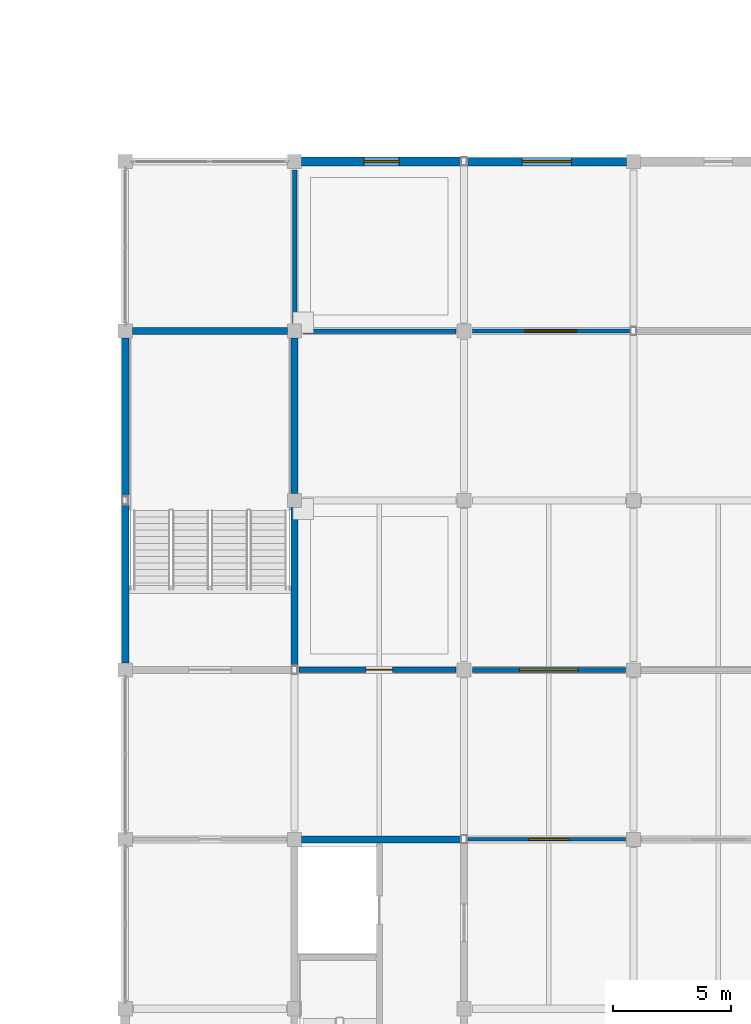
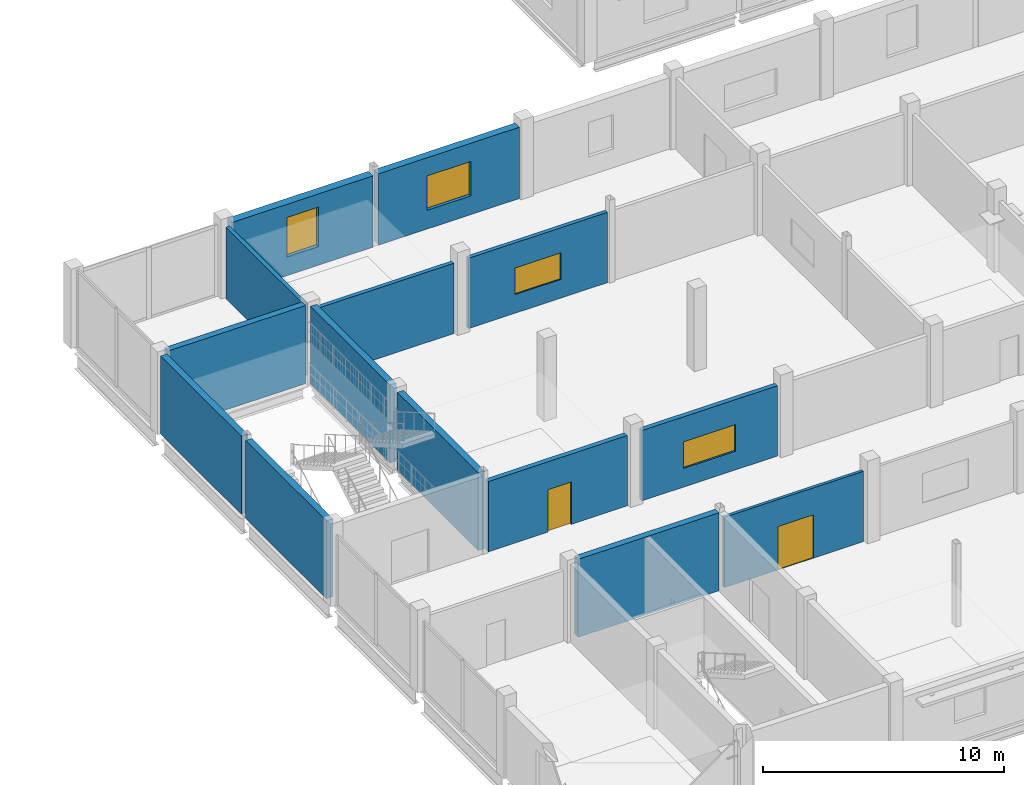
# One storey, part 36 of 51: 14 walls, 4 windows, 2 doors, 6 openings.
"""IFC4 building model written with IfcOpenShell, lengths in metres."""

from ifc_helpers import new_model, si_unit, direction, frame, frame_2d, origin, place, context, subcontext, project, spatial, rectangle, extrude, material, layer, layer_set, type_object, element, fill, save


model = new_model("IFC4")

# Units and contexts
model_context = context("Model", 3, precision=1e-05, world=origin(), true_north=direction((0.0, 1.0)))
body_context = subcontext(model_context, "Body", "Model", "MODEL_VIEW")
ifc_project = project(units=[si_unit("LENGTHUNIT", "METRE"), si_unit("AREAUNIT", "SQUARE_METRE"), si_unit("VOLUMEUNIT", "CUBIC_METRE"), si_unit("PLANEANGLEUNIT", "RADIAN"), si_unit("MASSUNIT", "GRAM", prefix="KILO")], contexts=[model_context])

# Site, building, storey
site_placement = place(None, origin())
site = spatial("IfcSite", under=ifc_project, at=site_placement, CompositionType="ELEMENT")
building_placement = place(site_placement, origin())
building = spatial("IfcBuilding", under=site, at=building_placement, Name="Vesperath Aquatics Centre", CompositionType="ELEMENT")
storey_placement = place(building_placement, frame((0.0, 0.0, 15.0)))
storey = spatial("IfcBuildingStorey", under=building, at=storey_placement, Name="L03", CompositionType="ELEMENT", Elevation=15.0)

# Wall, opening, window
ifc_material_1 = material(Name="Red-terracotta brick insulated cavity wall", Category="masonry")
ifc_layer_1 = layer(ifc_material_1, 0.3798828125)
ifc_layer_set_1 = layer_set([ifc_layer_1], Name="Red-terracotta brick insulated cavity wall")
wall_type_1 = type_object("IfcWallType", Name="WL-EW02", PredefinedType="SOLIDWALL", material=ifc_layer_set_1)
wall_1_placement = place(storey_placement, frame((122.699951171875, 43.199951171875, 0.0), z_axis=(0.0, 0.0, 1.0), x_axis=(1.0, 0.0, 0.0)))
wall_1 = element("IfcWall", 1, at=wall_1_placement, inside=storey, type_object=wall_type_1, Name="Exterior Wall EW02 L03_N_17_06", PredefinedType="SOLIDWALL", context=body_context, shape_type="SweptSolid", body=[
    extrude(rectangle(XDim=6.775146484375, YDim=0.3798828125, at=frame_2d((3.3876953125, 0.0))), origin(), (0.0, 0.0, 1.0), 3.6201171875),
])
opening_1_placement = place(wall_1_placement, frame((2.636962890625, 0.0, 0.949951171875)))
opening_1 = element("IfcOpeningElement", 2, at=opening_1_placement, cuts=wall_1, Name="Opening W08", PredefinedType="OPENING", context=body_context, shape_type="SweptSolid", body=[
    extrude(rectangle(XDim=1.5, YDim=2.0, at=frame_2d((0.75, 1.0))), frame((0.0, 0.204833984375, 0.0), z_axis=(0.0, -1.0, 0.0), x_axis=(1.0, 0.0, 0.0)), (0.0, 0.0, 1.0), 0.40966796875),
])
ifc_material_2 = material(Name="Thermally broken aluminium triple-glazed window", Category="aluminium")
window_type_1 = type_object("IfcWindowType", Name="WN-W08", PartitioningType="SINGLE_PANEL", PredefinedType="WINDOW", material=ifc_material_2)
window_1_placement = place(opening_1_placement, origin())
window_1 = element("IfcWindow", 3, at=window_1_placement, inside=storey, type_object=window_type_1, Name="Deep-Reveal Casement Window W08 L03_N_17_06", OverallHeight=2.0, OverallWidth=1.5, PartitioningType="SINGLE_PANEL", PredefinedType="WINDOW", context=body_context, shape_type="SweptSolid", body=[
    extrude(rectangle(XDim=1.5, YDim=2.0, at=frame_2d((0.75, 1.0))), frame((0.0, 0.030029296875, 0.0), z_axis=(0.0, -1.0, 0.0), x_axis=(1.0, 0.0, 0.0)), (0.0, 0.0, 1.0), 0.06005859375),
])
fill(opening_1, window_1)

ifc_material_3 = material(Name="Glazed majolica and brick insulated cavity wall", Category="masonry")
ifc_layer_2 = layer(ifc_material_3, 0.360107421875)
ifc_layer_set_2 = layer_set([ifc_layer_2], Name="Glazed majolica and brick insulated cavity wall")
wall_type_2 = type_object("IfcWallType", Name="WL-EW03", PredefinedType="SOLIDWALL", material=ifc_layer_set_2)
wall_2_placement = place(storey_placement, frame((129.72509765625, 43.199951171875, 0.0), z_axis=(0.0, 0.0, 1.0), x_axis=(1.0, 0.0, 0.0)))
wall_2 = element("IfcWall", 4, at=wall_2_placement, inside=storey, type_object=wall_type_2, Name="Exterior Wall EW03 L03_N_18_06", PredefinedType="SOLIDWALL", context=body_context, shape_type="SweptSolid", body=[
    extrude(rectangle(XDim=6.77490234375, YDim=0.360107421875, at=frame_2d((3.387451171875, 0.0))), origin(), (0.0, 0.0, 1.0), 3.6201171875),
])
opening_2_placement = place(wall_2_placement, frame((2.337890625, 0.0, 0.949951171875)))
opening_2 = element("IfcOpeningElement", 5, at=opening_2_placement, cuts=wall_2, Name="Opening W11", PredefinedType="OPENING", context=body_context, shape_type="SweptSolid", body=[
    extrude(rectangle(XDim=2.10009765625, YDim=1.75, at=frame_2d((1.050048828125, 0.875))), frame((0.0, 0.19482421875, 0.0), z_axis=(0.0, -1.0, 0.0), x_axis=(1.0, 0.0, 0.0)), (0.0, 0.0, 1.0), 0.389892578125),
])
window_type_2 = type_object("IfcWindowType", Name="WN-W11", PartitioningType="SINGLE_PANEL", PredefinedType="WINDOW", material=ifc_material_2)
window_2_placement = place(opening_2_placement, origin())
window_2 = element("IfcWindow", 6, at=window_2_placement, inside=storey, type_object=window_type_2, Name="Deep-Reveal Casement Window W11 L03_N_18_06", OverallHeight=1.75, OverallWidth=2.10009765625, PartitioningType="SINGLE_PANEL", PredefinedType="WINDOW", context=body_context, shape_type="SweptSolid", body=[
    extrude(rectangle(XDim=2.10009765625, YDim=1.75, at=frame_2d((1.050048828125, 0.875))), frame((0.0, 0.030029296875, 0.0), z_axis=(0.0, -1.0, 0.0), x_axis=(1.0, 0.0, 0.0)), (0.0, 0.0, 1.0), 0.06005859375),
])
fill(opening_2, window_2)

# Wall, opening, door
ifc_material_4 = material(Name="Autoclaved aerated masonry blockwork", Category="masonry")
ifc_layer_3 = layer(ifc_material_4, 0.22998046875)
ifc_layer_set_3 = layer_set([ifc_layer_3], Name="Autoclaved aerated masonry blockwork")
wall_type_3 = type_object("IfcWallType", Name="WL-FW01", PredefinedType="SOLIDWALL", material=ifc_layer_set_3)
wall_3_placement = place(storey_placement, frame((122.574951171875, 21.60009765625, 0.0), z_axis=(0.0, 0.0, 1.0), x_axis=(1.0, 0.0, 0.0)))
wall_3 = element("IfcWall", 7, at=wall_3_placement, inside=storey, type_object=wall_type_3, Name="Interior Partition FW01 L03_BIOMECH-S1", PredefinedType="SOLIDWALL", context=body_context, shape_type="SweptSolid", body=[
    extrude(rectangle(XDim=6.675048828125, YDim=0.22998046875, at=frame_2d((3.33740234375, 0.0))), origin(), (0.0, 0.0, 1.0), 3.570068359375),
])
opening_3_placement = place(wall_3_placement, frame((2.864990234375, 0.0, 0.0)))
opening_3 = element("IfcOpeningElement", 8, at=opening_3_placement, cuts=wall_3, Name="Opening D11", PredefinedType="OPENING", context=body_context, shape_type="SweptSolid", body=[
    extrude(rectangle(XDim=1.1201171875, YDim=2.14990234375, at=frame_2d((0.56005859375, 1.074951171875))), frame((0.0, 0.1298828125, 0.0), z_axis=(0.0, -1.0, 0.0), x_axis=(1.0, 0.0, 0.0)), (0.0, 0.0, 1.0), 0.259765625),
])
ifc_material_5 = material(Name="Family changing accessible fire door", Category="steel")
door_type_1 = type_object("IfcDoorType", Name="DR-RM03", OperationType="NOTDEFINED", PredefinedType="DOOR", material=ifc_material_5)
door_1_placement = place(opening_3_placement, origin())
door_1 = element("IfcDoor", 9, at=door_1_placement, inside=storey, type_object=door_type_1, Name="Sports Medicine and Biomechanics Laboratory Door D11", OperationType="SINGLE_SWING_RIGHT", OverallHeight=2.14990234375, OverallWidth=1.1201171875, PredefinedType="DOOR", context=body_context, shape_type="SweptSolid", body=[
    extrude(rectangle(XDim=1.1201171875, YDim=2.14990234375, at=frame_2d((0.56005859375, 1.074951171875))), frame((0.0, 0.02490234375, 0.0), z_axis=(0.0, -1.0, 0.0), x_axis=(1.0, 0.0, 0.0)), (0.0, 0.0, 1.0), 0.050048828125),
])
fill(opening_3, door_1)

# Wall, opening, window
ifc_material_6 = material(Name="Masonry fire compartment wall", Category="masonry")
ifc_layer_4 = layer(ifc_material_6, 0.219970703125)
ifc_layer_set_4 = layer_set([ifc_layer_4], Name="Masonry fire compartment wall")
wall_type_4 = type_object("IfcWallType", Name="WL-FW02", PredefinedType="SOLIDWALL", material=ifc_layer_set_4)
wall_4_placement = place(storey_placement, frame((129.949951171875, 21.60009765625, 0.0), z_axis=(0.0, 0.0, 1.0), x_axis=(1.0, 0.0, 0.0)))
wall_4 = element("IfcWall", 10, at=wall_4_placement, inside=storey, type_object=wall_type_4, Name="Interior Partition FW02 L03_BIOMECH-S2", PredefinedType="SOLIDWALL", context=body_context, shape_type="SweptSolid", body=[
    extrude(rectangle(XDim=6.5, YDim=0.219970703125, at=frame_2d((3.25, 0.0))), origin(), (0.0, 0.0, 1.0), 3.570068359375),
])
opening_4_placement = place(wall_4_placement, frame((2.0, 0.0, 0.949951171875)))
opening_4 = element("IfcOpeningElement", 11, at=opening_4_placement, cuts=wall_4, Name="Opening VW06", PredefinedType="OPENING", context=body_context, shape_type="SweptSolid", body=[
    extrude(rectangle(XDim=2.5, YDim=1.35009765625, at=frame_2d((1.25, 0.675048828125))), frame((0.0, 0.125, 0.0), z_axis=(0.0, -1.0, 0.0), x_axis=(1.0, 0.0, 0.0)), (0.0, 0.0, 1.0), 0.249755859375),
])
ifc_material_7 = material(Name="Acoustic laminated interior viewing glazing", Category="glass")
window_type_3 = type_object("IfcWindowType", Name="WN-IW06", PartitioningType="SINGLE_PANEL", PredefinedType="WINDOW", material=ifc_material_7)
window_3_placement = place(opening_4_placement, origin())
window_3 = element("IfcWindow", 12, at=window_3_placement, inside=storey, type_object=window_type_3, Name="Interior Viewing Window VW06 L03_BIOMECH", OverallHeight=1.35009765625, OverallWidth=2.5, PartitioningType="SINGLE_PANEL", PredefinedType="WINDOW", context=body_context, shape_type="SweptSolid", body=[
    extrude(rectangle(XDim=2.5, YDim=1.35009765625, at=frame_2d((1.25, 0.675048828125))), frame((0.0, 0.030029296875, 0.0), z_axis=(0.0, -1.0, 0.0), x_axis=(1.0, 0.0, 0.0)), (0.0, 0.0, 1.0), 0.06005859375),
])
fill(opening_4, window_3)

# Walls
ifc_material_8 = material(Name="Plant acoustic masonry wall", Category="masonry")
ifc_layer_5 = layer(ifc_material_8, 0.18994140625)
ifc_layer_set_5 = layer_set([ifc_layer_5], Name="Plant acoustic masonry wall")
wall_type_5 = type_object("IfcWallType", Name="WL-FW04", PredefinedType="SOLIDWALL", material=ifc_layer_set_5)
wall_5_placement = place(storey_placement, frame((122.75, 36.0, 0.0), z_axis=(0.0, 0.0, 1.0), x_axis=(1.0, 0.0, 0.0)))
element("IfcWall", 13, at=wall_5_placement, inside=storey, type_object=wall_type_5, Name="Interior Partition FW04 L03_BIOMECH-N1", PredefinedType="SOLIDWALL", context=body_context, shape_type="SweptSolid", body=[
    extrude(rectangle(XDim=6.5, YDim=0.18994140625, at=frame_2d((3.25, 0.0))), origin(), (0.0, 0.0, 1.0), 3.570068359375),
])
wall_6_placement = place(storey_placement, frame((122.39990234375, 36.35009765625, 0.0), z_axis=(0.0, 0.0, 1.0), x_axis=(0.0, 1.0, 0.0)))
element("IfcWall", 14, at=wall_6_placement, inside=storey, type_object=wall_type_5, Name="Interior Partition FW04 L03_PHYS_LAB-W1", PredefinedType="SOLIDWALL", context=body_context, shape_type="SweptSolid", body=[
    extrude(rectangle(XDim=6.5, YDim=0.18994140625, at=frame_2d((3.25, 0.0))), origin(), (0.0, 0.0, 1.0), 3.6201171875),
])

# Wall, opening, window
ifc_material_9 = material(Name="Double-stud acoustic studio partition", Category="gypsum")
ifc_layer_6 = layer(ifc_material_9, 0.18505859375)
ifc_layer_set_6 = layer_set([ifc_layer_6], Name="Double-stud acoustic studio partition")
wall_type_6 = type_object("IfcWallType", Name="WL-IW01", PredefinedType="PARTITIONING", material=ifc_layer_set_6)
wall_7_placement = place(storey_placement, frame((129.949951171875, 36.0, 0.0), z_axis=(0.0, 0.0, 1.0), x_axis=(1.0, 0.0, 0.0)))
wall_7 = element("IfcWall", 15, at=wall_7_placement, inside=storey, type_object=wall_type_6, Name="Interior Partition IW01 L03_BIOMECH-N2", PredefinedType="PARTITIONING", context=body_context, shape_type="SweptSolid", body=[
    extrude(rectangle(XDim=6.675048828125, YDim=0.18505859375, at=frame_2d((3.33740234375, 0.0))), origin(), (0.0, 0.0, 1.0), 3.570068359375),
])
opening_5_placement = place(wall_7_placement, frame((2.238037109375, 0.0, 0.949951171875)))
opening_5 = element("IfcOpeningElement", 16, at=opening_5_placement, cuts=wall_7, Name="Opening VW07", PredefinedType="OPENING", context=body_context, shape_type="SweptSolid", body=[
    extrude(rectangle(XDim=2.199951171875, YDim=1.35009765625, at=frame_2d((1.10009765625, 0.675048828125))), frame((0.0, 0.107421875, 0.0), z_axis=(0.0, -1.0, 0.0), x_axis=(1.0, 0.0, 0.0)), (0.0, 0.0, 1.0), 0.21484375),
])
window_type_4 = type_object("IfcWindowType", Name="WN-IW07", PartitioningType="SINGLE_PANEL", PredefinedType="WINDOW", material=ifc_material_7)
window_4_placement = place(opening_5_placement, origin())
window_4 = element("IfcWindow", 17, at=window_4_placement, inside=storey, type_object=window_type_4, Name="Interior Viewing Window VW07 L03_BIOMECH", OverallHeight=1.35009765625, OverallWidth=2.199951171875, PartitioningType="SINGLE_PANEL", PredefinedType="WINDOW", context=body_context, shape_type="SweptSolid", body=[
    extrude(rectangle(XDim=2.199951171875, YDim=1.35009765625, at=frame_2d((1.10009765625, 0.675048828125))), frame((0.0, 0.030029296875, 0.0), z_axis=(0.0, -1.0, 0.0), x_axis=(1.0, 0.0, 0.0)), (0.0, 0.0, 1.0), 0.06005859375),
])
fill(opening_5, window_4)

# Wall, opening, door
ifc_material_10 = material(Name="Changing cubicle masonry-backed partition", Category="masonry")
ifc_layer_7 = layer(ifc_material_10, 0.137939453125)
ifc_layer_set_7 = layer_set([ifc_layer_7], Name="Changing cubicle masonry-backed partition")
wall_type_7 = type_object("IfcWallType", Name="WL-IW07", PredefinedType="PARTITIONING", material=ifc_layer_set_7)
wall_8_placement = place(storey_placement, frame((129.77490234375, 14.39990234375, 0.0), z_axis=(0.0, 0.0, 1.0), x_axis=(1.0, 0.0, 0.0)))
wall_8 = element("IfcWall", 18, at=wall_8_placement, inside=storey, type_object=wall_type_7, Name="Interior Partition IW07 L03_YOGA-N1", PredefinedType="PARTITIONING", context=body_context, shape_type="SweptSolid", body=[
    extrude(rectangle(XDim=6.675048828125, YDim=0.137939453125, at=frame_2d((3.33740234375, 0.0))), origin(), (0.0, 0.0, 1.0), 3.570068359375),
])
opening_6_placement = place(wall_8_placement, frame((2.574951171875, 0.0, 0.0)))
opening_6 = element("IfcOpeningElement", 19, at=opening_6_placement, cuts=wall_8, Name="Opening D09", PredefinedType="OPENING", context=body_context, shape_type="SweptSolid", body=[
    extrude(rectangle(XDim=1.699951171875, YDim=2.199951171875, at=frame_2d((0.85009765625, 1.10009765625))), frame((0.0, 0.083984375, 0.0), z_axis=(0.0, -1.0, 0.0), x_axis=(1.0, 0.0, 0.0)), (0.0, 0.0, 1.0), 0.167724609375),
])
ifc_material_11 = material(Name="Wet-village marine-grade aluminium double door", Category="aluminium")
door_type_2 = type_object("IfcDoorType", Name="DR-RM01", OperationType="DOUBLE_SWING_LEFT", PredefinedType="DOOR", material=ifc_material_11)
door_2_placement = place(opening_6_placement, frame((1.699951171875, 0.0, 0.0), z_axis=(0.0, 0.0, 1.0), x_axis=(-1.0, 0.0, 0.0)))
door_2 = element("IfcDoor", 20, at=door_2_placement, inside=storey, type_object=door_type_2, Name="Daylit Yoga and Pilates Pavilion Door D09", OperationType="DOUBLE_SWING_LEFT", OverallHeight=2.199951171875, OverallWidth=1.699951171875, PredefinedType="DOOR", context=body_context, shape_type="SweptSolid", body=[
    extrude(rectangle(XDim=1.699951171875, YDim=2.199951171875, at=frame_2d((0.85009765625, 1.10009765625))), frame((0.0, 0.02490234375, 0.0), z_axis=(0.0, -1.0, 0.0), x_axis=(1.0, 0.0, 0.0)), (0.0, 0.0, 1.0), 0.050048828125),
])
fill(opening_6, door_2)

# Walls
ifc_material_12 = material(Name="Concrete C40", Category="concrete")
ifc_layer_8 = layer(ifc_material_12, 0.300048828125)
ifc_layer_set_8 = layer_set([ifc_layer_8], Name="Concrete C40")
wall_type_8 = type_object("IfcWallType", Name="WL-SW01", PredefinedType="SHEAR", material=ifc_layer_set_8)
wall_9_placement = place(storey_placement, frame((122.699951171875, 14.39990234375, 0.0), z_axis=(0.0, 0.0, 1.0), x_axis=(1.0, 0.0, 0.0)))
element("IfcWall", 21, at=wall_9_placement, inside=storey, type_object=wall_type_8, Name="Core C5 North Shear Wall SW01 L03", PredefinedType="SHEAR", context=body_context, shape_type="SweptSolid", body=[
    extrude(rectangle(XDim=6.775146484375, YDim=0.300048828125, at=frame_2d((3.3876953125, 0.0))), origin(), (0.0, 0.0, 1.0), 3.9599609375),
])
wall_10_placement = place(storey_placement, frame((115.5, 36.0, 0.0), z_axis=(0.0, 0.0, 1.0), x_axis=(1.0, 0.0, 0.0)))
element("IfcWall", 22, at=wall_10_placement, inside=storey, type_object=wall_type_8, Name="Core C7 North Shear Wall SW01 L03", PredefinedType="SHEAR", context=body_context, shape_type="SweptSolid", body=[
    extrude(rectangle(XDim=6.60009765625, YDim=0.300048828125, at=frame_2d((3.300048828125, 0.0))), origin(), (0.0, 0.0, 1.0), 3.9599609375),
])
wall_11_placement = place(storey_placement, frame((122.39990234375, 21.77490234375, 0.0), z_axis=(0.0, 0.0, 1.0), x_axis=(0.0, 1.0, 0.0)))
element("IfcWall", 23, at=wall_11_placement, inside=storey, type_object=wall_type_8, Name="Core C7 East-1 Shear Wall SW01 L03", PredefinedType="SHEAR", context=body_context, shape_type="SweptSolid", body=[
    extrude(rectangle(XDim=6.72509765625, YDim=0.300048828125, at=frame_2d((3.362548828125, 0.0))), origin(), (0.0, 0.0, 1.0), 3.9599609375),
])
wall_12_placement = place(storey_placement, frame((122.39990234375, 29.10009765625, 0.0), z_axis=(0.0, 0.0, 1.0), x_axis=(0.0, 1.0, 0.0)))
element("IfcWall", 24, at=wall_12_placement, inside=storey, type_object=wall_type_8, Name="Core C7 East-2 Shear Wall SW01 L03", PredefinedType="SHEAR", context=body_context, shape_type="SweptSolid", body=[
    extrude(rectangle(XDim=6.599853515625, YDim=0.300048828125, at=frame_2d((3.2998046875, 0.0))), origin(), (0.0, 0.0, 1.0), 3.9599609375),
])
ifc_layer_9 = layer(ifc_material_12, 0.31005859375)
ifc_layer_set_9 = layer_set([ifc_layer_9], Name="Concrete C40")
wall_type_9 = type_object("IfcWallType", Name="WL-SW05", PredefinedType="SHEAR", material=ifc_layer_set_9)
wall_13_placement = place(storey_placement, frame((115.199951171875, 21.89990234375, 0.0), z_axis=(0.0, 0.0, 1.0), x_axis=(0.0, 1.0, 0.0)))
element("IfcWall", 25, at=wall_13_placement, inside=storey, type_object=wall_type_9, Name="Core C7 West-1 Shear Wall SW05 L03", PredefinedType="SHEAR", context=body_context, shape_type="SweptSolid", body=[
    extrude(rectangle(XDim=6.72509765625, YDim=0.31005859375, at=frame_2d((3.362548828125, 0.0))), origin(), (0.0, 0.0, 1.0), 3.9599609375),
])
wall_14_placement = place(storey_placement, frame((115.199951171875, 28.97509765625, 0.0), z_axis=(0.0, 0.0, 1.0), x_axis=(0.0, 1.0, 0.0)))
element("IfcWall", 26, at=wall_14_placement, inside=storey, type_object=wall_type_9, Name="Core C7 West-2 Shear Wall SW05 L03", PredefinedType="SHEAR", context=body_context, shape_type="SweptSolid", body=[
    extrude(rectangle(XDim=6.724853515625, YDim=0.31005859375, at=frame_2d((3.3623046875, 0.0))), origin(), (0.0, 0.0, 1.0), 3.9599609375),
])

save(model, "model.ifc")
